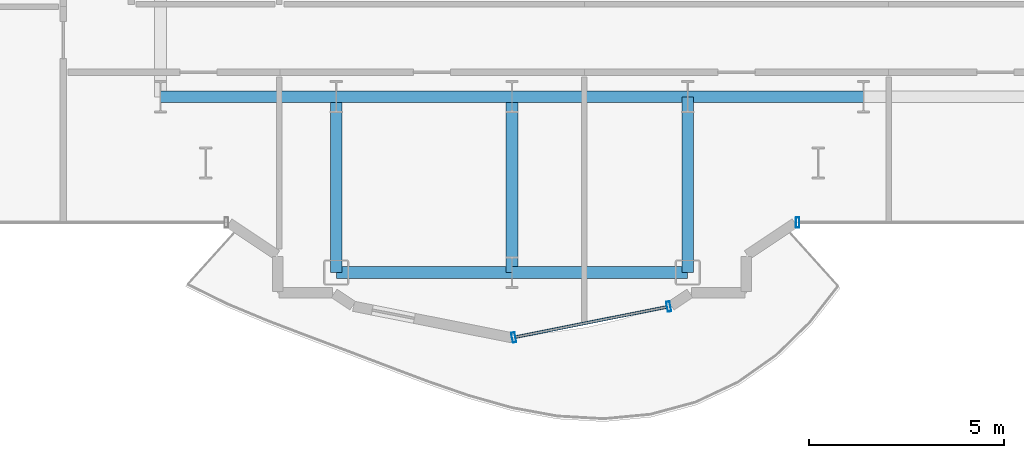
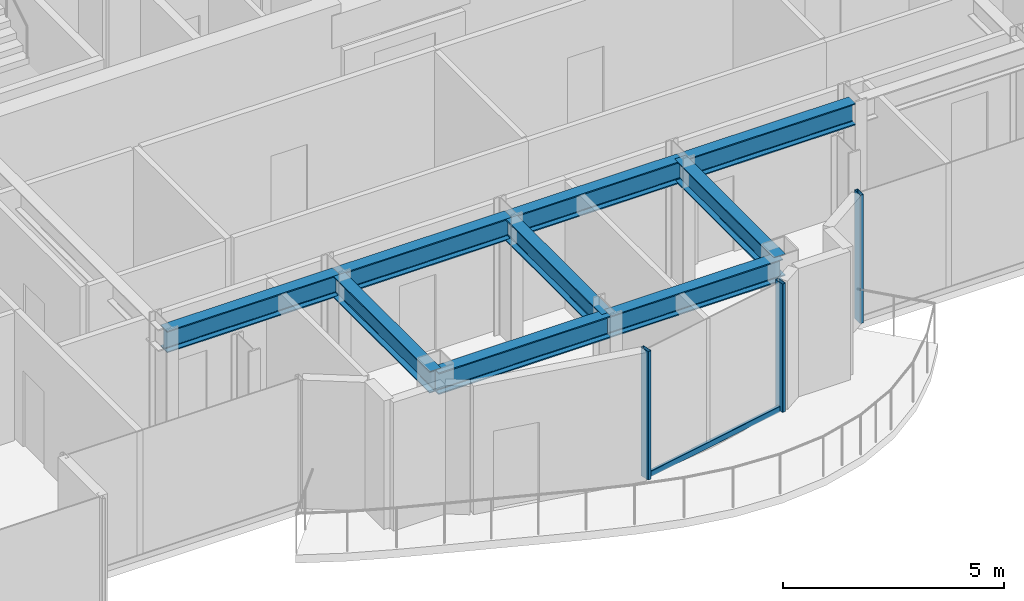
# One storey, part 3 of 21: 9 beams, 4 members, 2 elements without a shape of their own.
"""IFC4 building model written with IfcOpenShell, lengths in metres."""

from ifc_helpers import new_model, si_unit, direction, frame, origin, origin_2d, place, context, subcontext, project, spatial, hollow_rectangle, i_section, extrude, source, transform, mapped, material, layer, layer_set, material_profile, profile_set, type_object, element, aggregate, save


model = new_model("IFC4")

# Units and contexts
model_context = context("Model", 3, precision=1e-05, world=origin(), true_north=direction((0.0, 1.0)))
body_context = subcontext(model_context, "Body", "Model", "MODEL_VIEW")
ifc_project = project(units=[si_unit("LENGTHUNIT", "METRE"), si_unit("AREAUNIT", "SQUARE_METRE"), si_unit("VOLUMEUNIT", "CUBIC_METRE"), si_unit("PLANEANGLEUNIT", "RADIAN"), si_unit("MASSUNIT", "GRAM", prefix="KILO")], contexts=[model_context])

# Site, building, storey
site_placement = place(None, origin())
site = spatial("IfcSite", under=ifc_project, at=site_placement, CompositionType="ELEMENT")
building_placement = place(site_placement, origin())
building = spatial("IfcBuilding", under=site, at=building_placement, Name="Nefas-Gora Pilgrimage Tower", CompositionType="ELEMENT")
storey_placement = place(building_placement, frame((0.0, 0.0, 210.39990234375)))
storey = spatial("IfcBuildingStorey", under=building, at=storey_placement, Name="L52", CompositionType="ELEMENT", Elevation=210.39990234375)

# Beams
ifc_material_1 = material(Name="Steel S355", Category="steel")
ifc_material_profile_1 = material_profile(ifc_material_1, i_section(OverallWidth=0.300048828125, OverallDepth=0.60009765625, WebThickness=0.015380859375, FlangeThickness=0.030029296875, FilletRadius=0.027099609375, at=origin_2d()), Name="HEB 600")
ifc_profile_set_1 = profile_set([ifc_material_profile_1], Name="Steel S355")
beam_type = type_object("IfcBeamType", Name="BM-GIR-HEB600", PredefinedType="BEAM", material=ifc_profile_set_1)
shared_shape_1 = source(origin(), body_context, "Body", "SweptSolid", [
    extrude(i_section(OverallWidth=0.300048828125, OverallDepth=0.60009765625, WebThickness=0.015380859375, FlangeThickness=0.030029296875, FilletRadius=0.027099609375, at=origin_2d()), origin(), (0.0, 0.0, 1.0), 4.5),
])
for number, where, z_axis, x_axis, name in (
    (1, (-11.25, -18.0, 3.25), (1.0, 0.0, 0.0), (0.0, 1.0, 0.0), "L52 G-04 beam"),
    (2, (-6.75, -22.5, 3.25), (0.0, 1.0, 0.0), (-1.0, 0.0, 0.0), "L52 G-04 beam"),
    (3, (-6.75, -22.5, 3.25), (1.0, 0.0, 0.0), (0.0, 1.0, 0.0), "L52 G-04 beam"),
    (4, (-6.75, -18.0, 3.25), (1.0, 0.0, 0.0), (0.0, 1.0, 0.0), "L52 G-04 beam"),
    (5, (-2.25, -22.5, 3.25), (0.0, 1.0, 0.0), (-1.0, 0.0, 0.0), "L52 G-04 beam"),
    (6, (-2.25, -22.5, 3.25), (1.0, 0.0, 0.0), (0.0, 1.0, 0.0), "L52 G-04 beam"),
    (7, (-2.25, -18.0, 3.25), (1.0, 0.0, 0.0), (0.0, 1.0, 0.0), "L52 G-04 beam"),
    (8, (2.25, -22.5, 3.25), (0.0, 1.0, 0.0), (-1.0, 0.0, 0.0), "L52 G-04 beam"),
    (9, (2.25, -18.0, 3.25), (1.0, 0.0, 0.0), (0.0, 1.0, 0.0), "L52 G-04 beam"),
):
    element("IfcBeam", number, at=place(storey_placement, frame(where, z_axis=z_axis, x_axis=x_axis)), inside=storey, type_object=beam_type, Name=name, PredefinedType="BEAM", context=body_context, shape_type="MappedRepresentation", body=[
        mapped(shared_shape_1, transform((0.0, 0.0, 0.0), x_axis=(1.0, 0.0, 0.0), y_axis=(0.0, 1.0, 0.0), z_axis=(0.0, 0.0, 1.0), scale=1.0)),
    ])

# Curtain wall, member
ifc_material_2 = material(Name="Dark ceramic-fritted solar-control aluminium-glass curtain wall", Category="aluminium")
ifc_layer = layer(ifc_material_2, 0.219970703125)
ifc_layer_set = layer_set([ifc_layer], Name="Dark ceramic-fritted solar-control aluminium-glass curtain wall")
curtain_wall_type = type_object("IfcCurtainWallType", Name="CW-SYS-5", PredefinedType="NOTDEFINED", material=ifc_layer_set)
curtain_wall_1_placement = place(storey_placement, origin())
curtain_wall_1 = element("IfcCurtainWall", 10, at=curtain_wall_1_placement, inside=storey, type_object=curtain_wall_type, Name="L52 Unitised Curtain Wall CW5", PredefinedType="NOTDEFINED")
ifc_material_3 = material(Name="Anodised architectural aluminium", Category="aluminium")
ifc_material_profile_2 = material_profile(ifc_material_3, hollow_rectangle(XDim=0.090087890625, YDim=0.260009765625, WallThickness=0.006103515625, InnerFilletRadius=0.006103515625, OuterFilletRadius=0.011962890625, at=origin_2d()), Name="ALU MULLION 90x260")
ifc_profile_set_2 = profile_set([ifc_material_profile_2], Name="Anodised architectural aluminium")
member_type_1 = type_object("IfcMemberType", Name="CWM-MUL-5", PredefinedType="MULLION", material=ifc_profile_set_2)
shared_shape_2 = source(origin(), body_context, "Body", "SweptSolid", [
    extrude(hollow_rectangle(XDim=0.090087890625, YDim=0.260009765625, WallThickness=0.006103515625, InnerFilletRadius=0.006103515625, OuterFilletRadius=0.011962890625, at=origin_2d()), origin(), (0.0, 0.0, 1.0), 3.550048828125),
])
member_1_placement = place(storey_placement, frame((5.06298828125, -21.219970703125, 0.0), z_axis=(0.0, 0.0, 1.0), x_axis=(1.0, 0.0, 0.0)))
member_1 = element("IfcMember", 11, at=member_1_placement, type_object=member_type_1, Name="CW5 Mullion 1", PredefinedType="MULLION", context=body_context, shape_type="MappedRepresentation", body=[
    mapped(shared_shape_2, transform((0.0, 0.0, 0.0), x_axis=(1.0, 0.0, 0.0), y_axis=(0.0, 1.0, 0.0), z_axis=(0.0, 0.0, 1.0), scale=1.0)),
])
aggregate(curtain_wall_1, [member_1])

# Curtain wall, members
curtain_wall_2_placement = place(storey_placement, origin())
curtain_wall_2 = element("IfcCurtainWall", 12, at=curtain_wall_2_placement, inside=storey, type_object=curtain_wall_type, Name="L52 Unitised Curtain Wall CW5", PredefinedType="NOTDEFINED")
member_2_placement = place(storey_placement, frame((-2.205810546875, -24.16357421875, 0.0), z_axis=(0.0, 0.0, 1.0), x_axis=(0.980782896852, 0.195102304554, 0.0)))
member_2 = element("IfcMember", 13, at=member_2_placement, type_object=member_type_1, Name="CW5 Mullion 1", PredefinedType="MULLION", context=body_context, shape_type="MappedRepresentation", body=[
    mapped(shared_shape_2, transform((0.0, 0.0, 0.0), x_axis=(1.0, 0.0, 0.0), y_axis=(0.0, 1.0, 0.0), z_axis=(0.0, 0.0, 1.0), scale=1.0)),
])
member_3_placement = place(storey_placement, frame((1.76318359375, -23.3740234375, 0.0), z_axis=(0.0, 0.0, 1.0), x_axis=(0.980782896852, 0.195102304554, 0.0)))
member_3 = element("IfcMember", 14, at=member_3_placement, type_object=member_type_1, Name="CW5 Mullion 2", PredefinedType="MULLION", context=body_context, shape_type="MappedRepresentation", body=[
    mapped(shared_shape_2, transform((0.0, 0.0, 0.0), x_axis=(1.0, 0.0, 0.0), y_axis=(0.0, 1.0, 0.0), z_axis=(0.0, 0.0, 1.0), scale=1.0)),
])
ifc_material_profile_3 = material_profile(ifc_material_3, hollow_rectangle(XDim=0.080078125, YDim=0.159912109375, WallThickness=0.00439453125, InnerFilletRadius=0.00439453125, OuterFilletRadius=0.009033203125, at=origin_2d()), Name="ALU TRANSOM 80x160")
ifc_profile_set_3 = profile_set([ifc_material_profile_3], Name="Anodised architectural aluminium")
member_type_2 = type_object("IfcMemberType", Name="CWM-TRN-5", PredefinedType="USERDEFINED", material=ifc_profile_set_3)
shared_shape_3 = source(origin(), body_context, "Body", "SweptSolid", [
    extrude(hollow_rectangle(XDim=0.080078125, YDim=0.159912109375, WallThickness=0.00439453125, InnerFilletRadius=0.00439453125, OuterFilletRadius=0.009033203125, at=origin_2d()), origin(), (0.0, 0.0, 1.0), 3.95654296875),
])
member_4_placement = place(storey_placement, frame((-2.16162109375, -24.15478515625, 0.050048828125), z_axis=(0.980781880918, 0.195107411605, 0.0), x_axis=(-0.195107411605, 0.980781880918, 0.0)))
member_4 = element("IfcMember", 15, at=member_4_placement, type_object=member_type_2, Name="CW5 Spandrel Transom", ObjectType="TRANSOM", PredefinedType="USERDEFINED", context=body_context, shape_type="MappedRepresentation", body=[
    mapped(shared_shape_3, transform((0.0, 0.0, 0.0), x_axis=(1.0, 0.0, 0.0), y_axis=(0.0, 1.0, 0.0), z_axis=(0.0, 0.0, 1.0), scale=1.0)),
])
aggregate(curtain_wall_2, [member_2, member_3, member_4])

save(model, "model.ifc")
